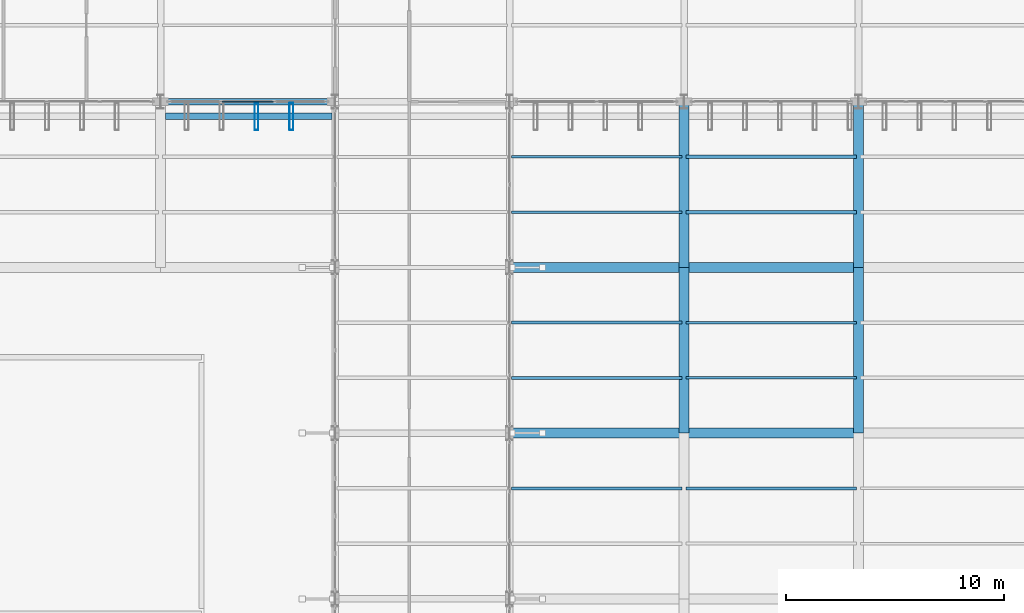
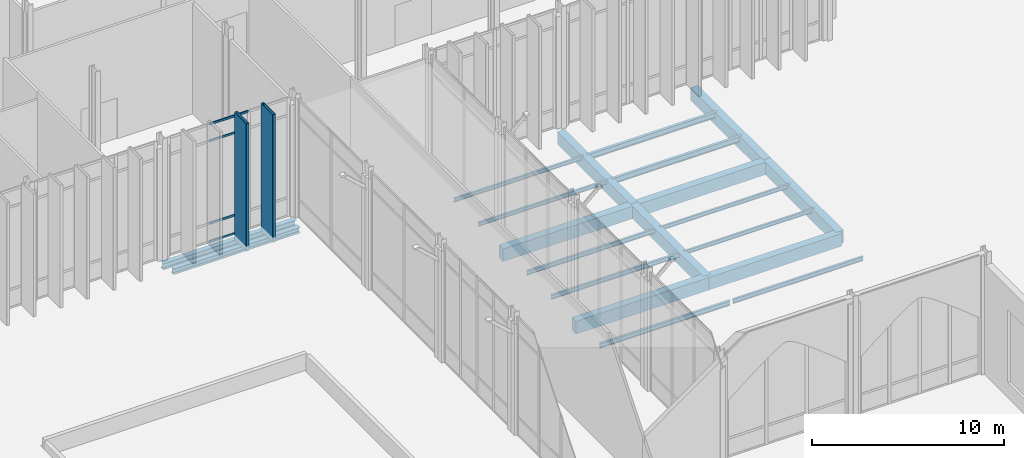
# One storey, part 48 of 176: 20 beams, 6 members, 1 element without a shape of its own.
"""IFC4 building model written with IfcOpenShell, lengths in metres."""

from ifc_helpers import new_model, si_unit, direction, frame, origin, origin_2d, place, context, subcontext, project, spatial, rectangle, hollow_rectangle, i_section, extrude, material, layer, layer_set, material_profile, profile_set, type_object, element, aggregate, save


model = new_model("IFC4")

# Units and contexts
model_context = context("Model", 3, precision=1e-05, world=origin(), true_north=direction((0.0, 1.0)))
body_context = subcontext(model_context, "Body", "Model", "MODEL_VIEW")
ifc_project = project(units=[si_unit("LENGTHUNIT", "METRE"), si_unit("AREAUNIT", "SQUARE_METRE"), si_unit("VOLUMEUNIT", "CUBIC_METRE"), si_unit("PLANEANGLEUNIT", "RADIAN"), si_unit("MASSUNIT", "GRAM", prefix="KILO")], contexts=[model_context])

# Site, building, storey
site_placement = place(None, origin())
site = spatial("IfcSite", under=ifc_project, at=site_placement, CompositionType="ELEMENT")
building_placement = place(site_placement, origin())
building = spatial("IfcBuilding", under=site, at=building_placement, Name="Vekula Escarpment Museum", CompositionType="ELEMENT")
storey_placement = place(building_placement, origin())
storey = spatial("IfcBuildingStorey", under=building, at=storey_placement, Name="L01", CompositionType="ELEMENT", Elevation=0.0)

# Beams
ifc_material_1 = material(Name="Steel S355", Category="steel")
ifc_material_profile_1 = material_profile(ifc_material_1, i_section(OverallWidth=0.300048828125, OverallDepth=0.360107421875, WebThickness=0.012451171875, FlangeThickness=0.0224609375, FilletRadius=0.027099609375, at=origin_2d()), Name="HEB 360")
ifc_profile_set_1 = profile_set([ifc_material_profile_1], Name="Steel S355")
beam_type_1 = type_object("IfcBeamType", Name="BM-GIRD-HEB360", PredefinedType="BEAM", material=ifc_profile_set_1)
beam_1_placement = place(storey_placement, frame((86.22509765625, 44.919921875, -0.47998046875), z_axis=(1.0, 0.0, 0.0), x_axis=(0.0, 1.0, 0.0)))
element("IfcBeam", 1, at=beam_1_placement, inside=storey, type_object=beam_type_1, Name="Solar Fin Sill Girder 003", PredefinedType="BEAM", context=body_context, shape_type="SweptSolid", body=[
    extrude(i_section(OverallWidth=0.300048828125, OverallDepth=0.360107421875, WebThickness=0.012451171875, FlangeThickness=0.0224609375, FilletRadius=0.027099609375, at=origin_2d()), origin(), (0.0, 0.0, 1.0), 7.625),
])
ifc_material_2 = material(Name="Steel S355", Category="steel")
ifc_material_profile_2 = material_profile(ifc_material_2, i_section(OverallWidth=0.1201171875, OverallDepth=0.239990234375, WebThickness=0.006103515625, FlangeThickness=0.009765625, FilletRadius=0.014892578125, at=origin_2d()), Name="IPE 240")
ifc_profile_set_2 = profile_set([ifc_material_profile_2], Name="Steel S355")
beam_type_2 = type_object("IfcBeamType", Name="BM-JST-IPE240", PredefinedType="JOIST", material=ifc_profile_set_2)
for number, where, z_axis, x_axis, name in (
    (2, (102.090087890625, 40.533203125, -0.419921875), (1.0, 0.0, 0.0), (0.0, 1.0, 0.0), "Secondary Joist L01 0330"),
    (3, (102.090087890625, 43.066650390625, -0.419921875), (1.0, 0.0, 0.0), (0.0, 1.0, 0.0), "Secondary Joist L01 0331"),
    (4, (110.090087890625, 32.933349609375, -0.419921875), (1.0, 0.0, 0.0), (0.0, 1.0, 0.0), "Secondary Joist L01 0359"),
    (5, (110.090087890625, 35.466796875, -0.419921875), (1.0, 0.0, 0.0), (0.0, 1.0, 0.0), "Secondary Joist L01 0360"),
):
    element("IfcBeam", number, at=place(storey_placement, frame(where, z_axis=z_axis, x_axis=x_axis)), inside=storey, type_object=beam_type_2, Name=name, PredefinedType="JOIST", context=body_context, shape_type="SweptSolid", body=[
        extrude(i_section(OverallWidth=0.1201171875, OverallDepth=0.239990234375, WebThickness=0.006103515625, FlangeThickness=0.009765625, FilletRadius=0.014892578125, at=origin_2d()), origin(), (0.0, 0.0, 1.0), 7.81982421875),
    ])
ifc_material_3 = material(Name="Steel S355", Category="steel")
ifc_material_profile_3 = material_profile(ifc_material_3, i_section(OverallWidth=0.135009765625, OverallDepth=0.27001953125, WebThickness=0.006591796875, FlangeThickness=0.01025390625, FilletRadius=0.014892578125, at=origin_2d()), Name="IPE 270")
ifc_profile_set_3 = profile_set([ifc_material_profile_3], Name="Steel S355")
beam_type_3 = type_object("IfcBeamType", Name="BM-JST-IPE270", PredefinedType="JOIST", material=ifc_profile_set_3)
for number, where, z_axis, x_axis, name in (
    (6, (102.090087890625, 32.933349609375, -0.43505859375), (1.0, 0.0, 0.0), (0.0, 1.0, 0.0), "Secondary Joist L01 0328"),
    (7, (102.090087890625, 35.466796875, -0.43505859375), (1.0, 0.0, 0.0), (0.0, 1.0, 0.0), "Secondary Joist L01 0329"),
    (8, (110.090087890625, 27.86669921875, -0.43505859375), (1.0, 0.0, 0.0), (0.0, 1.0, 0.0), "Secondary Joist L01 0358"),
):
    element("IfcBeam", number, at=place(storey_placement, frame(where, z_axis=z_axis, x_axis=x_axis)), inside=storey, type_object=beam_type_3, Name=name, PredefinedType="JOIST", context=body_context, shape_type="SweptSolid", body=[
        extrude(i_section(OverallWidth=0.135009765625, OverallDepth=0.27001953125, WebThickness=0.006591796875, FlangeThickness=0.01025390625, FilletRadius=0.014892578125, at=origin_2d()), origin(), (0.0, 0.0, 1.0), 7.81982421875),
    ])
ifc_material_4 = material(Name="Steel S355", Category="steel")
ifc_material_profile_4 = material_profile(ifc_material_4, i_section(OverallWidth=0.14990234375, OverallDepth=0.300048828125, WebThickness=0.007080078125, FlangeThickness=0.0107421875, FilletRadius=0.014892578125, at=origin_2d()), Name="IPE 300")
ifc_profile_set_4 = profile_set([ifc_material_profile_4], Name="Steel S355")
beam_type_4 = type_object("IfcBeamType", Name="BM-JST-IPE300", PredefinedType="JOIST", material=ifc_profile_set_4)
beam_2_placement = place(storey_placement, frame((102.090087890625, 27.86669921875, -0.449951171875), z_axis=(1.0, 0.0, 0.0), x_axis=(0.0, 1.0, 0.0)))
element("IfcBeam", 9, at=beam_2_placement, inside=storey, type_object=beam_type_4, Name="Secondary Joist L01 0327", PredefinedType="JOIST", context=body_context, shape_type="SweptSolid", body=[
    extrude(i_section(OverallWidth=0.14990234375, OverallDepth=0.300048828125, WebThickness=0.007080078125, FlangeThickness=0.0107421875, FilletRadius=0.014892578125, at=origin_2d()), origin(), (0.0, 0.0, 1.0), 7.81982421875),
])
ifc_material_5 = material(Name="Steel S355", Category="steel")
ifc_material_profile_5 = material_profile(ifc_material_5, i_section(OverallWidth=0.169921875, OverallDepth=0.360107421875, WebThickness=0.008056640625, FlangeThickness=0.0126953125, FilletRadius=0.01806640625, at=origin_2d()), Name="IPE 360")
ifc_profile_set_5 = profile_set([ifc_material_profile_5], Name="Steel S355")
beam_type_5 = type_object("IfcBeamType", Name="BM-JST-IPE360", PredefinedType="JOIST", material=ifc_profile_set_5)
for number, where, z_axis, x_axis, name in (
    (10, (110.090087890625, 40.533203125, -0.47998046875), (1.0, 0.0, 0.0), (0.0, 1.0, 0.0), "Secondary Joist L01 0361"),
    (11, (110.090087890625, 43.066650390625, -0.47998046875), (1.0, 0.0, 0.0), (0.0, 1.0, 0.0), "Secondary Joist L01 0362"),
):
    element("IfcBeam", number, at=place(storey_placement, frame(where, z_axis=z_axis, x_axis=x_axis)), inside=storey, type_object=beam_type_5, Name=name, PredefinedType="JOIST", context=body_context, shape_type="SweptSolid", body=[
        extrude(i_section(OverallWidth=0.169921875, OverallDepth=0.360107421875, WebThickness=0.008056640625, FlangeThickness=0.0126953125, FilletRadius=0.01806640625, at=origin_2d()), origin(), (0.0, 0.0, 1.0), 7.81982421875),
    ])
ifc_material_6 = material(Name="Concrete C35/45", Category="concrete")
ifc_material_profile_6 = material_profile(ifc_material_6, rectangle(XDim=0.449951171875, YDim=0.800048828125, at=origin_2d()), Name="RC 450x800")
ifc_profile_set_6 = profile_set([ifc_material_profile_6], Name="Concrete C35/45")
beam_type_6 = type_object("IfcBeamType", Name="BM-PLINTH-RC", PredefinedType="BEAM", material=ifc_profile_set_6)
for number, where, z_axis, x_axis, name in (
    (12, (102.0, 30.39990234375, -0.699951171875), (1.0, 0.0, 0.0), (0.0, 1.0, 0.0), "Beam X L01 0091"),
    (13, (110.0, 30.39990234375, -0.699951171875), (1.0, 0.0, 0.0), (0.0, 1.0, 0.0), "Beam X L01 0092"),
    (14, (102.0, 38.0, -0.699951171875), (1.0, 0.0, 0.0), (0.0, 1.0, 0.0), "Beam X L01 0110"),
    (15, (110.0, 38.0, -0.699951171875), (1.0, 0.0, 0.0), (0.0, 1.0, 0.0), "Beam X L01 0111"),
):
    element("IfcBeam", number, at=place(storey_placement, frame(where, z_axis=z_axis, x_axis=x_axis)), inside=storey, type_object=beam_type_6, Name=name, PredefinedType="BEAM", context=body_context, shape_type="SweptSolid", body=[
        extrude(rectangle(XDim=0.449951171875, YDim=0.800048828125, at=origin_2d()), origin(), (0.0, 0.0, 1.0), 8.0),
    ])
for number, where, z_axis, x_axis, name in (
    (16, (110.0, 30.39990234375, -0.699951171875), (0.0, 1.0, 0.0), (-1.0, 0.0, 0.0), "Beam Y L01 0616"),
    (17, (110.0, 38.0, -0.699951171875), (0.0, 1.0, 0.0), (-1.0, 0.0, 0.0), "Beam Y L01 0617"),
    (18, (118.0, 30.39990234375, -0.699951171875), (0.0, 1.0, 0.0), (-1.0, 0.0, 0.0), "Beam Y L01 0634"),
    (19, (118.0, 38.0, -0.699951171875), (0.0, 1.0, 0.0), (-1.0, 0.0, 0.0), "Beam Y L01 0635"),
):
    element("IfcBeam", number, at=place(storey_placement, frame(where, z_axis=z_axis, x_axis=x_axis)), inside=storey, type_object=beam_type_6, Name=name, PredefinedType="BEAM", context=body_context, shape_type="SweptSolid", body=[
        extrude(rectangle(XDim=0.449951171875, YDim=0.800048828125, at=origin_2d()), origin(), (0.0, 0.0, 1.0), 7.60009765625),
    ])
ifc_material_7 = material(Name="Steel S355", Category="steel")
ifc_material_profile_7 = material_profile(ifc_material_7, i_section(OverallWidth=0.300048828125, OverallDepth=0.389892578125, WebThickness=0.010986328125, FlangeThickness=0.01904296875, FilletRadius=0.027099609375, at=origin_2d()), Name="HEA 400")
ifc_profile_set_7 = profile_set([ifc_material_profile_7], Name="Steel S355")
beam_type_7 = type_object("IfcBeamType", Name="BM-SPAN-HEA400", PredefinedType="SPANDREL", material=ifc_profile_set_7)
beam_3_placement = place(storey_placement, frame((86.0, 45.60009765625, -0.4951171875), z_axis=(1.0, 0.0, 0.0), x_axis=(0.0, 1.0, 0.0)))
element("IfcBeam", 20, at=beam_3_placement, inside=storey, type_object=beam_type_7, Name="Beam X L01 0127", PredefinedType="SPANDREL", context=body_context, shape_type="SweptSolid", body=[
    extrude(i_section(OverallWidth=0.300048828125, OverallDepth=0.389892578125, WebThickness=0.010986328125, FlangeThickness=0.01904296875, FilletRadius=0.027099609375, at=origin_2d()), origin(), (0.0, 0.0, 1.0), 8.0),
])

# Curtain wall, members
ifc_material_8 = material(Name="Aluminium thermally broken framing", Category="aluminium")
ifc_layer = layer(ifc_material_8, 0.139892578125)
ifc_layer_set = layer_set([ifc_layer], Name="Aluminium thermally broken framing")
curtain_wall_type = type_object("IfcCurtainWallType", Name="CW-SYS-06", PredefinedType="NOTDEFINED", material=ifc_layer_set)
curtain_wall_placement = place(storey_placement, origin())
curtain_wall = element("IfcCurtainWall", 21, at=curtain_wall_placement, inside=storey, type_object=curtain_wall_type, Name="Curtain Wall CW-L01-046", PredefinedType="NOTDEFINED")
ifc_material_9 = material(Name="Aluminium anodized transom", Category="aluminium")
ifc_material_profile_8 = material_profile(ifc_material_9, hollow_rectangle(XDim=0.06494140625, YDim=0.139892578125, WallThickness=0.00390625, InnerFilletRadius=0.00390625, OuterFilletRadius=0.008056640625, at=origin_2d()), Name="ALU 140x65x4")
ifc_profile_set_8 = profile_set([ifc_material_profile_8], Name="Aluminium anodized transom")
member_type_1 = type_object("IfcMemberType", Name="CW-TRN-140", PredefinedType="USERDEFINED", material=ifc_profile_set_8)
member_1_placement = place(storey_placement, frame((88.819091796875, 45.60009765625, 0.032470703125), z_axis=(1.0, 0.0, 0.0), x_axis=(0.0, 1.0, 0.0)))
member_1 = element("IfcMember", 22, at=member_1_placement, type_object=member_type_1, Name="CW-06 transom 2.1", ObjectType="TRANSOM", PredefinedType="USERDEFINED", context=body_context, shape_type="SweptSolid", body=[
    extrude(hollow_rectangle(XDim=0.06494140625, YDim=0.139892578125, WallThickness=0.00390625, InnerFilletRadius=0.00390625, OuterFilletRadius=0.008056640625, at=origin_2d()), origin(), (0.0, 0.0, 1.0), 2.36181640625),
])
member_2_placement = place(storey_placement, frame((88.819091796875, 45.60009765625, 1.199951171875), z_axis=(1.0, 0.0, 0.0), x_axis=(0.0, 1.0, 0.0)))
member_2 = element("IfcMember", 23, at=member_2_placement, type_object=member_type_1, Name="CW-06 transom 2.2", ObjectType="TRANSOM", PredefinedType="USERDEFINED", context=body_context, shape_type="SweptSolid", body=[
    extrude(hollow_rectangle(XDim=0.06494140625, YDim=0.139892578125, WallThickness=0.00390625, InnerFilletRadius=0.00390625, OuterFilletRadius=0.008056640625, at=origin_2d()), origin(), (0.0, 0.0, 1.0), 2.36181640625),
])
member_3_placement = place(storey_placement, frame((88.819091796875, 45.60009765625, 6.43994140625), z_axis=(1.0, 0.0, 0.0), x_axis=(0.0, 1.0, 0.0)))
member_3 = element("IfcMember", 24, at=member_3_placement, type_object=member_type_1, Name="CW-06 transom 2.3", ObjectType="TRANSOM", PredefinedType="USERDEFINED", context=body_context, shape_type="SweptSolid", body=[
    extrude(hollow_rectangle(XDim=0.06494140625, YDim=0.139892578125, WallThickness=0.00390625, InnerFilletRadius=0.00390625, OuterFilletRadius=0.008056640625, at=origin_2d()), origin(), (0.0, 0.0, 1.0), 2.36181640625),
])
member_4_placement = place(storey_placement, frame((88.819091796875, 45.60009765625, 7.507568359375), z_axis=(1.0, 0.0, 0.0), x_axis=(0.0, 1.0, 0.0)))
member_4 = element("IfcMember", 25, at=member_4_placement, type_object=member_type_1, Name="CW-06 transom 2.4", ObjectType="TRANSOM", PredefinedType="USERDEFINED", context=body_context, shape_type="SweptSolid", body=[
    extrude(hollow_rectangle(XDim=0.06494140625, YDim=0.139892578125, WallThickness=0.00390625, InnerFilletRadius=0.00390625, OuterFilletRadius=0.008056640625, at=origin_2d()), origin(), (0.0, 0.0, 1.0), 2.36181640625),
])
aggregate(curtain_wall, [member_1, member_2, member_3, member_4])

# Members
ifc_material_10 = material(Name="Steel S355 weathered bronze solar fin", Category="steel")
ifc_material_profile_9 = material_profile(ifc_material_10, hollow_rectangle(XDim=0.179931640625, YDim=1.25, WallThickness=0.010009765625, InnerFilletRadius=0.010009765625, OuterFilletRadius=0.02001953125, at=origin_2d()), Name="RHS 1250x180x10")
ifc_profile_set_9 = profile_set([ifc_material_profile_9], Name="Steel S355 weathered bronze solar fin")
member_type_2 = type_object("IfcMemberType", Name="MB-SOLAR-FIN", PredefinedType="USERDEFINED", material=ifc_profile_set_9)
for number, where, z_axis, x_axis, name in (
    (26, (90.39990234375, 44.919921875, -0.320068359375), (0.0, 0.0, 1.0), (1.0, 0.0, 0.0), "Great Hall Vertical Solar Fin 0056"),
    (27, (92.0, 44.919921875, -0.320068359375), (0.0, 0.0, 1.0), (1.0, 0.0, 0.0), "Great Hall Vertical Solar Fin 0061"),
):
    element("IfcMember", number, at=place(storey_placement, frame(where, z_axis=z_axis, x_axis=x_axis)), inside=storey, type_object=member_type_2, Name=name, ObjectType="SOLAR FIN", PredefinedType="USERDEFINED", context=body_context, shape_type="SweptSolid", body=[
        extrude(hollow_rectangle(XDim=0.179931640625, YDim=1.25, WallThickness=0.010009765625, InnerFilletRadius=0.010009765625, OuterFilletRadius=0.02001953125, at=origin_2d()), origin(), (0.0, 0.0, 1.0), 8.1201171875),
    ])

save(model, "model.ifc")
